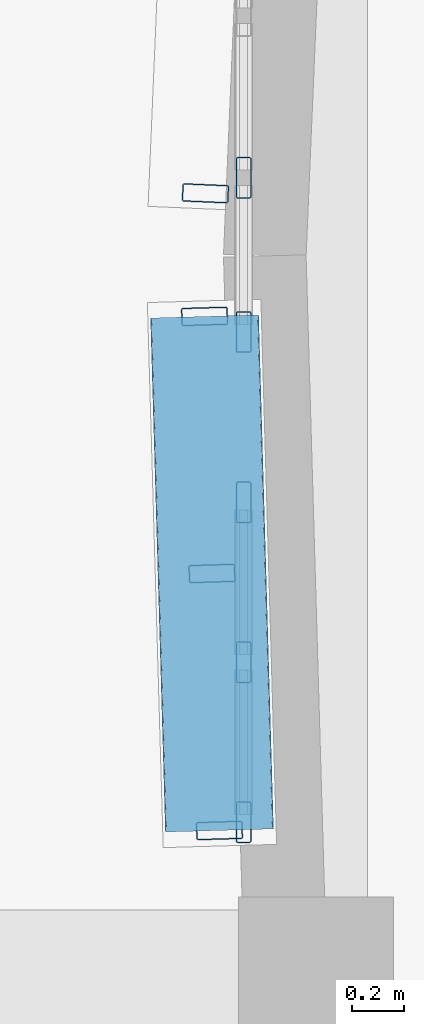
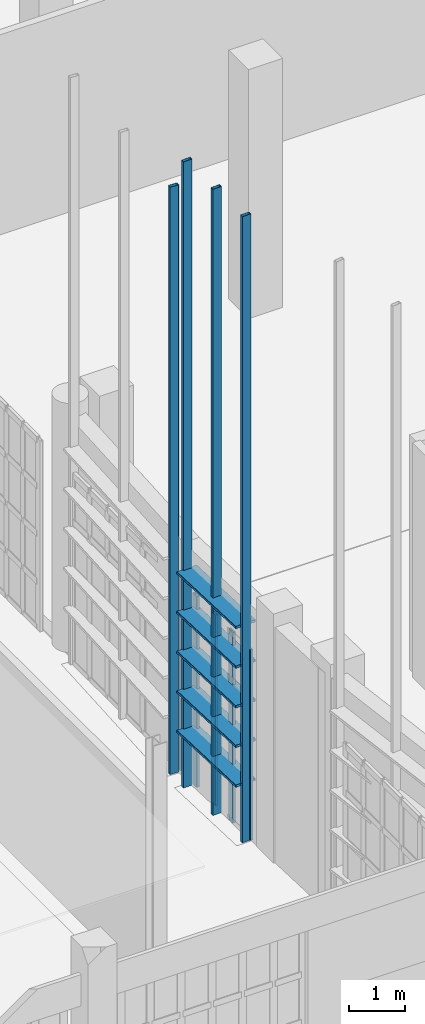
# One storey, part 226 of 372: 14 members, 2 elements without a shape of their own.
"""IFC4 building model written with IfcOpenShell, lengths in metres."""

from ifc_helpers import new_model, si_unit, direction, frame, origin, origin_2d, place, context, subcontext, project, spatial, hollow_rectangle, extrude, material, material_profile, profile_set, type_object, element, aggregate, save


model = new_model("IFC4")

# Units and contexts
model_context = context("Model", 3, precision=1e-05, world=origin(), true_north=direction((0.0, 1.0)))
body_context = subcontext(model_context, "Body", "Model", "MODEL_VIEW")
ifc_project = project(units=[si_unit("LENGTHUNIT", "METRE"), si_unit("AREAUNIT", "SQUARE_METRE"), si_unit("VOLUMEUNIT", "CUBIC_METRE"), si_unit("PLANEANGLEUNIT", "RADIAN"), si_unit("MASSUNIT", "GRAM", prefix="KILO")], contexts=[model_context])

# Site, building, storey
site_placement = place(None, origin())
site = spatial("IfcSite", under=ifc_project, at=site_placement, CompositionType="ELEMENT")
building_placement = place(site_placement, origin())
building = spatial("IfcBuilding", under=site, at=building_placement, Name="Kaelora Sail Theatre", CompositionType="ELEMENT")
storey_placement = place(building_placement, origin())
storey = spatial("IfcBuildingStorey", under=building, at=storey_placement, Name="L00", CompositionType="ELEMENT", Elevation=0.0)

# Members
ifc_material_1 = material(Name="Anodised aluminium 6063-T6", Category="aluminium")
ifc_material_profile_1 = material_profile(ifc_material_1, hollow_rectangle(XDim=0.419921875, YDim=0.054931640625, WallThickness=0.00390625, InnerFilletRadius=0.00390625, OuterFilletRadius=0.008056640625, at=origin_2d()), Name="LOUVRE 420x55x4")
ifc_profile_set_1 = profile_set([ifc_material_profile_1], Name="Anodised aluminium 6063-T6")
member_type_1 = type_object("IfcMemberType", Name="ARC-MEM-LVR-420", PredefinedType="USERDEFINED", material=ifc_profile_set_1)
for number, where, z_axis, x_axis, name in (
    (1, (122.626220703125, 46.697998046875, 1.25), (-0.02890594095, 0.999582135984, 0.0), (-0.999582135984, -0.02890594095, 0.0), "Black-Box and Experimental Sail Wing horizontal solar louvre C19-01"),
    (2, (122.626220703125, 46.697998046875, 2.110107421875), (-0.02890594095, 0.999582135984, 0.0), (-0.999582135984, -0.02890594095, 0.0), "Black-Box and Experimental Sail Wing horizontal solar louvre C19-02"),
    (3, (122.626220703125, 46.697998046875, 2.969970703125), (-0.02890594095, 0.999582135984, 0.0), (-0.999582135984, -0.02890594095, 0.0), "Black-Box and Experimental Sail Wing horizontal solar louvre C19-03"),
    (4, (122.626220703125, 46.697998046875, 3.830078125), (-0.02890594095, 0.999582135984, 0.0), (-0.999582135984, -0.02890594095, 0.0), "Black-Box and Experimental Sail Wing horizontal solar louvre C19-04"),
    (5, (122.626220703125, 46.697998046875, 4.68994140625), (-0.02890594095, 0.999582135984, 0.0), (-0.999582135984, -0.02890594095, 0.0), "Black-Box and Experimental Sail Wing horizontal solar louvre C19-05"),
):
    element("IfcMember", number, at=place(storey_placement, frame(where, z_axis=z_axis, x_axis=x_axis)), inside=storey, type_object=member_type_1, Name=name, ObjectType="LOUVRE", PredefinedType="USERDEFINED", context=body_context, shape_type="SweptSolid", body=[
        extrude(hollow_rectangle(XDim=0.419921875, YDim=0.054931640625, WallThickness=0.00390625, InnerFilletRadius=0.00390625, OuterFilletRadius=0.008056640625, at=origin_2d()), origin(), (0.0, 0.0, 1.0), 1.9931640625),
    ])

# Curtain wall, members
ifc_material_2 = material(Name="Anodised aluminium and solar-control low-E IGU", Category="aluminium")
curtain_wall_type = type_object("IfcCurtainWallType", Name="ARC-CW-CW-FOY2", PredefinedType="NOTDEFINED", material=ifc_material_2)
curtain_wall_1_placement = place(storey_placement, origin())
curtain_wall_1 = element("IfcCurtainWall", 6, at=curtain_wall_1_placement, inside=storey, type_object=curtain_wall_type, Name="East Interstitial Foyer East Glazed Return L00-02", PredefinedType="NOTDEFINED")
ifc_material_3 = material(Name="Anodised aluminium 6063-T6", Category="aluminium")
ifc_material_profile_2 = material_profile(ifc_material_3, hollow_rectangle(XDim=0.06005859375, YDim=0.159912109375, WallThickness=0.00390625, InnerFilletRadius=0.00390625, OuterFilletRadius=0.008056640625, at=origin_2d()), Name="ALU-MULL 60x160x4")
ifc_profile_set_2 = profile_set([ifc_material_profile_2], Name="Anodised aluminium 6063-T6")
member_type_2 = type_object("IfcMemberType", Name="ARC-MEM-ML-160", PredefinedType="MULLION", material=ifc_profile_set_2)
member_1_placement = place(storey_placement, frame((122.719970703125, 46.72998046875, 0.0), z_axis=(0.0, 0.0, 1.0), x_axis=(-1.0, 0.0, 0.0)))
member_1 = element("IfcMember", 7, at=member_1_placement, type_object=member_type_2, Name="CW-FOY2 mullion 1", PredefinedType="MULLION", context=body_context, shape_type="SweptSolid", body=[
    extrude(hollow_rectangle(XDim=0.06005859375, YDim=0.159912109375, WallThickness=0.00390625, InnerFilletRadius=0.00390625, OuterFilletRadius=0.008056640625, at=origin_2d()), origin(), (0.0, 0.0, 1.0), 4.136962890625),
])
member_2_placement = place(storey_placement, frame((122.719970703125, 47.35009765625, 0.0), z_axis=(0.0, 0.0, 1.0), x_axis=(-1.0, 0.0, 0.0)))
member_2 = element("IfcMember", 8, at=member_2_placement, type_object=member_type_2, Name="CW-FOY2 mullion 2", PredefinedType="MULLION", context=body_context, shape_type="SweptSolid", body=[
    extrude(hollow_rectangle(XDim=0.06005859375, YDim=0.159912109375, WallThickness=0.00390625, InnerFilletRadius=0.00390625, OuterFilletRadius=0.008056640625, at=origin_2d()), origin(), (0.0, 0.0, 1.0), 4.136962890625),
])
member_3_placement = place(storey_placement, frame((122.719970703125, 47.969970703125, 0.0), z_axis=(0.0, 0.0, 1.0), x_axis=(-1.0, 0.0, 0.0)))
member_3 = element("IfcMember", 9, at=member_3_placement, type_object=member_type_2, Name="CW-FOY2 mullion 3", PredefinedType="MULLION", context=body_context, shape_type="SweptSolid", body=[
    extrude(hollow_rectangle(XDim=0.06005859375, YDim=0.159912109375, WallThickness=0.00390625, InnerFilletRadius=0.00390625, OuterFilletRadius=0.008056640625, at=origin_2d()), origin(), (0.0, 0.0, 1.0), 4.136962890625),
])
aggregate(curtain_wall_1, [member_1, member_2, member_3])

curtain_wall_2_placement = place(storey_placement, origin())
curtain_wall_2 = element("IfcCurtainWall", 10, at=curtain_wall_2_placement, inside=storey, type_object=curtain_wall_type, Name="East Interstitial Foyer East Glazed Return L00-03", PredefinedType="NOTDEFINED")
member_4_placement = place(storey_placement, frame((122.719970703125, 48.6298828125, 0.0), z_axis=(0.0, 0.0, 1.0), x_axis=(-1.0, 0.0, 0.0)))
member_4 = element("IfcMember", 11, at=member_4_placement, type_object=member_type_2, Name="CW-FOY2 mullion 1", PredefinedType="MULLION", context=body_context, shape_type="SweptSolid", body=[
    extrude(hollow_rectangle(XDim=0.06005859375, YDim=0.159912109375, WallThickness=0.00390625, InnerFilletRadius=0.00390625, OuterFilletRadius=0.008056640625, at=origin_2d()), origin(), (0.0, 0.0, 1.0), 4.136962890625),
])
member_5_placement = place(storey_placement, frame((122.719970703125, 49.227783203125, 0.0), z_axis=(0.0, 0.0, 1.0), x_axis=(-1.0, 0.0, 0.0)))
member_5 = element("IfcMember", 12, at=member_5_placement, type_object=member_type_2, Name="CW-FOY2 mullion 2", PredefinedType="MULLION", context=body_context, shape_type="SweptSolid", body=[
    extrude(hollow_rectangle(XDim=0.06005859375, YDim=0.159912109375, WallThickness=0.00390625, InnerFilletRadius=0.00390625, OuterFilletRadius=0.008056640625, at=origin_2d()), origin(), (0.0, 0.0, 1.0), 4.136962890625),
])
aggregate(curtain_wall_2, [member_4, member_5])

# Members
ifc_material_4 = material(Name="Anodised aluminium 6063-T6", Category="aluminium")
ifc_material_profile_3 = material_profile(ifc_material_4, hollow_rectangle(XDim=0.070068359375, YDim=0.179931640625, WallThickness=0.00390625, InnerFilletRadius=0.00390625, OuterFilletRadius=0.008056640625, at=origin_2d()), Name="ALU-MULL 70x180x4")
ifc_profile_set_3 = profile_set([ifc_material_profile_3], Name="Anodised aluminium 6063-T6")
member_type_3 = type_object("IfcMemberType", Name="ARC-MEM-PST-160", PredefinedType="POST", material=ifc_profile_set_3)
for number, where, z_axis, x_axis, name in (
    (13, (122.626220703125, 46.697998046875, 0.0), (0.0, 0.0, 1.0), (-0.028968412487, 0.999580327476, 0.0), "Black-Box and Experimental Sail Wing solar louvre vertical support post C19-1"),
    (14, (122.597412109375, 47.694091796875, 0.0), (0.0, 0.0, 1.0), (-0.028968412487, 0.999580327476, 0.0), "Black-Box and Experimental Sail Wing solar louvre vertical support post C19-2"),
    (15, (122.568603515625, 48.6904296875, 0.0), (0.0, 0.0, 1.0), (-0.028968412487, 0.999580327476, 0.0), "Black-Box and Experimental Sail Wing solar louvre vertical support post C19-3"),
):
    element("IfcMember", number, at=place(storey_placement, frame(where, z_axis=z_axis, x_axis=x_axis)), inside=storey, type_object=member_type_3, Name=name, PredefinedType="POST", context=body_context, shape_type="SweptSolid", body=[
        extrude(hollow_rectangle(XDim=0.070068359375, YDim=0.179931640625, WallThickness=0.00390625, InnerFilletRadius=0.00390625, OuterFilletRadius=0.008056640625, at=origin_2d()), origin(), (0.0, 0.0, 1.0), 13.580810546875),
    ])
member_6_placement = place(storey_placement, frame((122.572021484375, 49.16748046875, 0.0), z_axis=(0.0, 0.0, 1.0), x_axis=(0.042573162788, 0.9990933519, 0.0)))
element("IfcMember", 16, at=member_6_placement, inside=storey, type_object=member_type_3, Name="Black-Box and Experimental Sail Wing solar louvre vertical support post C20-1", PredefinedType="POST", context=body_context, shape_type="SweptSolid", body=[
    extrude(hollow_rectangle(XDim=0.070068359375, YDim=0.179931640625, WallThickness=0.00390625, InnerFilletRadius=0.00390625, OuterFilletRadius=0.008056640625, at=origin_2d()), origin(), (0.0, 0.0, 1.0), 12.737060546875),
])

save(model, "model.ifc")
